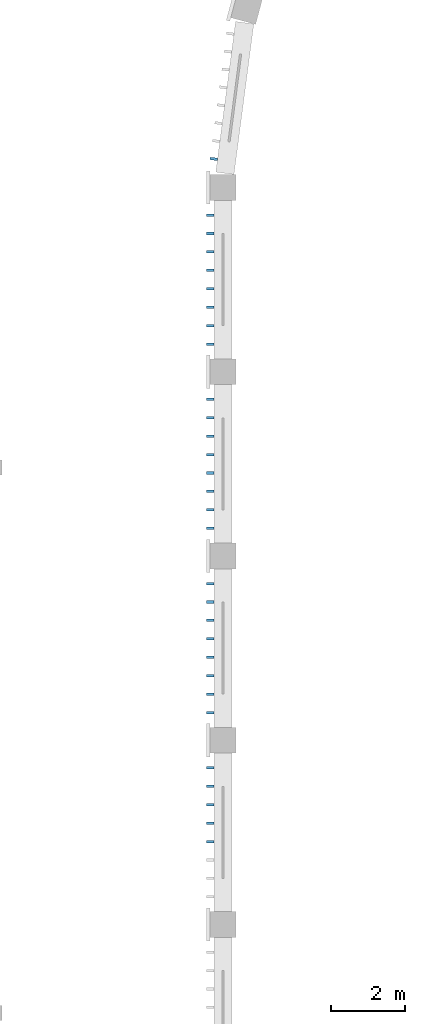
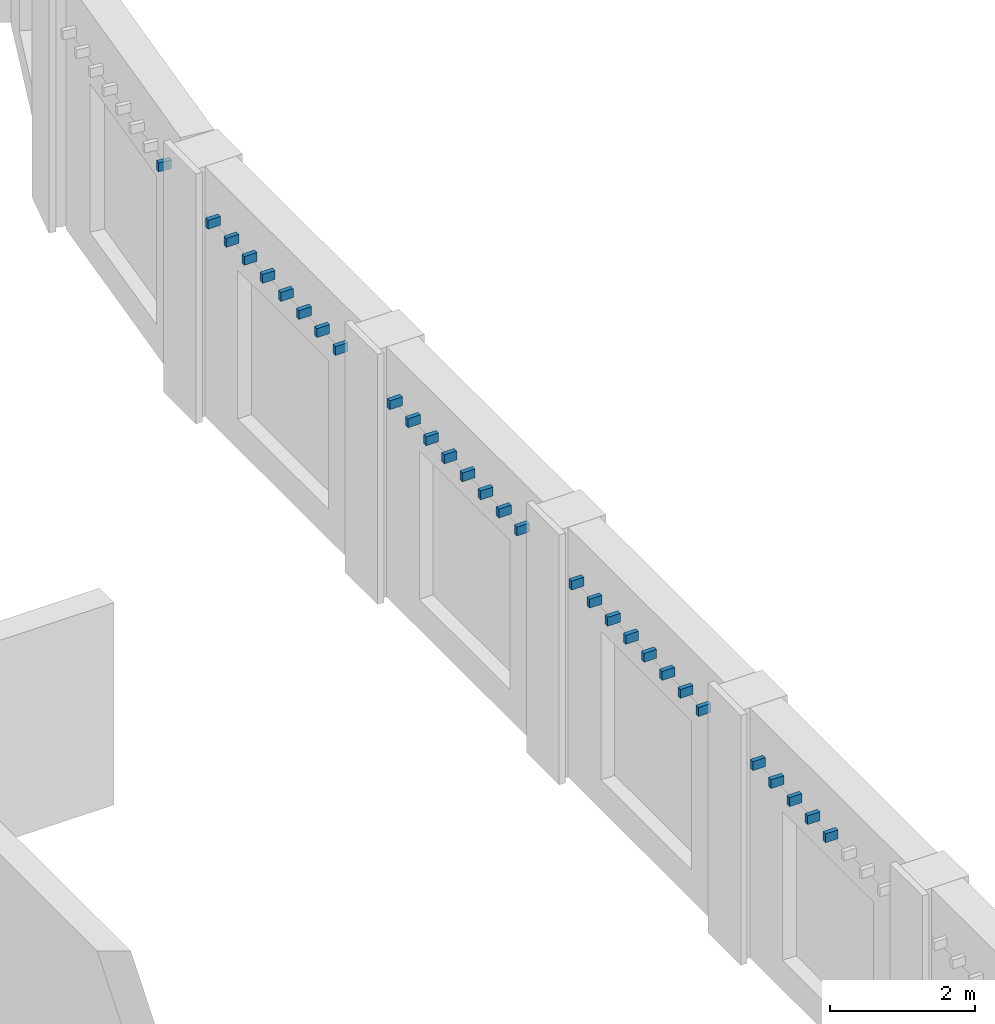
# One storey, part 49 of 71: 30 discrete accessories.
"""IFC4 building model written with IfcOpenShell, lengths in metres."""

from ifc_helpers import new_model, si_unit, direction, frame, origin, origin_2d, place, context, subcontext, project, spatial, rectangle, extrude, material, type_object, element, save


model = new_model("IFC4")

# Units and contexts
model_context = context("Model", 3, precision=1e-05, world=origin(), true_north=direction((0.0, 1.0)))
body_context = subcontext(model_context, "Body", "Model", "MODEL_VIEW")
ifc_project = project(units=[si_unit("LENGTHUNIT", "METRE"), si_unit("AREAUNIT", "SQUARE_METRE"), si_unit("VOLUMEUNIT", "CUBIC_METRE"), si_unit("PLANEANGLEUNIT", "RADIAN"), si_unit("MASSUNIT", "GRAM", prefix="KILO")], contexts=[model_context])

# Site, building, storey
site_placement = place(None, origin())
site = spatial("IfcSite", under=ifc_project, at=site_placement, CompositionType="ELEMENT")
building_placement = place(site_placement, origin())
building = spatial("IfcBuilding", under=site, at=building_placement, Name="Wasatch Bagh Community Centre", CompositionType="ELEMENT")
storey_placement = place(building_placement, frame((0.0, 0.0, 12.60009765625)))
storey = spatial("IfcBuildingStorey", under=building, at=storey_placement, Name="L03", CompositionType="ELEMENT", Elevation=12.60009765625)

# Discrete accessories
ifc_material = material(Name="ASTM A36 steel", Category="steel")
discrete_accessory_type = type_object("IfcDiscreteAccessoryType", Name="MH fin bracket", PredefinedType="BRACKET", material=ifc_material)
for number, where, z_axis, x_axis, name in (
    (1, (16.998779296875, 65.773681640625, 3.474853515625), (0.0, 0.0, 1.0), (-0.13052619222, -0.991444861374, 0.0), "Fin bracket 30.9.3"),
    (2, (16.89990234375, 64.25, 3.474853515625), (0.0, 0.0, 1.0), (0.0, -1.0, 0.0), "Fin bracket 31.2.3"),
    (3, (16.89990234375, 63.75, 3.474853515625), (0.0, 0.0, 1.0), (0.0, -1.0, 0.0), "Fin bracket 31.3.3"),
    (4, (16.89990234375, 63.25, 3.474853515625), (0.0, 0.0, 1.0), (0.0, -1.0, 0.0), "Fin bracket 31.4.3"),
    (5, (16.89990234375, 62.75, 3.474853515625), (0.0, 0.0, 1.0), (0.0, -1.0, 0.0), "Fin bracket 31.5.3"),
    (6, (16.89990234375, 62.25, 3.474853515625), (0.0, 0.0, 1.0), (0.0, -1.0, 0.0), "Fin bracket 31.6.3"),
    (7, (16.89990234375, 61.75, 3.474853515625), (0.0, 0.0, 1.0), (0.0, -1.0, 0.0), "Fin bracket 31.7.3"),
    (8, (16.89990234375, 61.25, 3.474853515625), (0.0, 0.0, 1.0), (0.0, -1.0, 0.0), "Fin bracket 31.8.3"),
    (9, (16.89990234375, 60.75, 3.474853515625), (0.0, 0.0, 1.0), (0.0, -1.0, 0.0), "Fin bracket 31.9.3"),
    (10, (16.89990234375, 59.25, 3.474853515625), (0.0, 0.0, 1.0), (0.0, -1.0, 0.0), "Fin bracket 32.2.3"),
    (11, (16.89990234375, 58.75, 3.474853515625), (0.0, 0.0, 1.0), (0.0, -1.0, 0.0), "Fin bracket 32.3.3"),
    (12, (16.89990234375, 58.25, 3.474853515625), (0.0, 0.0, 1.0), (0.0, -1.0, 0.0), "Fin bracket 32.4.3"),
    (13, (16.89990234375, 57.75, 3.474853515625), (0.0, 0.0, 1.0), (0.0, -1.0, 0.0), "Fin bracket 32.5.3"),
    (14, (16.89990234375, 57.25, 3.474853515625), (0.0, 0.0, 1.0), (0.0, -1.0, 0.0), "Fin bracket 32.6.3"),
    (15, (16.89990234375, 56.75, 3.474853515625), (0.0, 0.0, 1.0), (0.0, -1.0, 0.0), "Fin bracket 32.7.3"),
    (16, (16.89990234375, 56.25, 3.474853515625), (0.0, 0.0, 1.0), (0.0, -1.0, 0.0), "Fin bracket 32.8.3"),
    (17, (16.89990234375, 55.75, 3.474853515625), (0.0, 0.0, 1.0), (0.0, -1.0, 0.0), "Fin bracket 32.9.3"),
    (18, (16.89990234375, 54.25, 3.474853515625), (0.0, 0.0, 1.0), (0.0, -1.0, 0.0), "Fin bracket 33.2.3"),
    (19, (16.89990234375, 53.75, 3.474853515625), (0.0, 0.0, 1.0), (0.0, -1.0, 0.0), "Fin bracket 33.3.3"),
    (20, (16.89990234375, 53.25, 3.474853515625), (0.0, 0.0, 1.0), (0.0, -1.0, 0.0), "Fin bracket 33.4.3"),
    (21, (16.89990234375, 52.75, 3.474853515625), (0.0, 0.0, 1.0), (0.0, -1.0, 0.0), "Fin bracket 33.5.3"),
    (22, (16.89990234375, 52.25, 3.474853515625), (0.0, 0.0, 1.0), (0.0, -1.0, 0.0), "Fin bracket 33.6.3"),
    (23, (16.89990234375, 51.75, 3.474853515625), (0.0, 0.0, 1.0), (0.0, -1.0, 0.0), "Fin bracket 33.7.3"),
    (24, (16.89990234375, 51.25, 3.474853515625), (0.0, 0.0, 1.0), (0.0, -1.0, 0.0), "Fin bracket 33.8.3"),
    (25, (16.89990234375, 50.75, 3.474853515625), (0.0, 0.0, 1.0), (0.0, -1.0, 0.0), "Fin bracket 33.9.3"),
    (26, (16.89990234375, 49.25, 3.474853515625), (0.0, 0.0, 1.0), (0.0, -1.0, 0.0), "Fin bracket 34.2.3"),
    (27, (16.89990234375, 48.75, 3.474853515625), (0.0, 0.0, 1.0), (0.0, -1.0, 0.0), "Fin bracket 34.3.3"),
    (28, (16.89990234375, 48.25, 3.474853515625), (0.0, 0.0, 1.0), (0.0, -1.0, 0.0), "Fin bracket 34.4.3"),
    (29, (16.89990234375, 47.75, 3.474853515625), (0.0, 0.0, 1.0), (0.0, -1.0, 0.0), "Fin bracket 34.5.3"),
    (30, (16.89990234375, 47.25, 3.474853515625), (0.0, 0.0, 1.0), (0.0, -1.0, 0.0), "Fin bracket 34.6.3"),
):
    element("IfcDiscreteAccessory", number, at=place(storey_placement, frame(where, z_axis=z_axis, x_axis=x_axis)), inside=storey, type_object=discrete_accessory_type, Name=name, PredefinedType="BRACKET", context=body_context, shape_type="SweptSolid", body=[
        extrude(rectangle(XDim=0.070068359375, YDim=0.199951171875, at=origin_2d()), origin(), (0.0, 0.0, 1.0), 0.14990234375),
    ])

save(model, "model.ifc")
